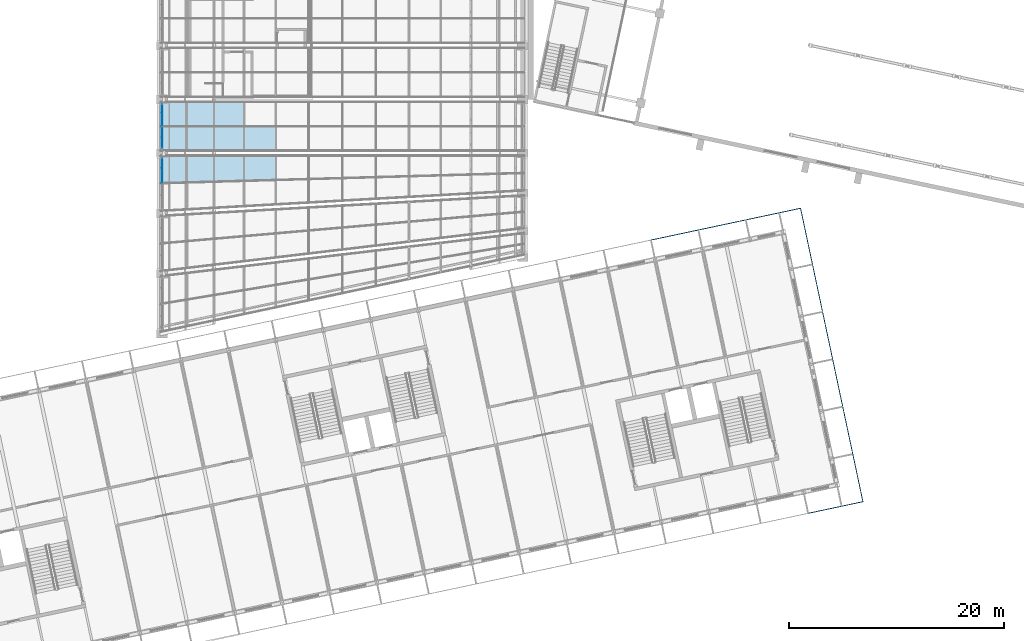
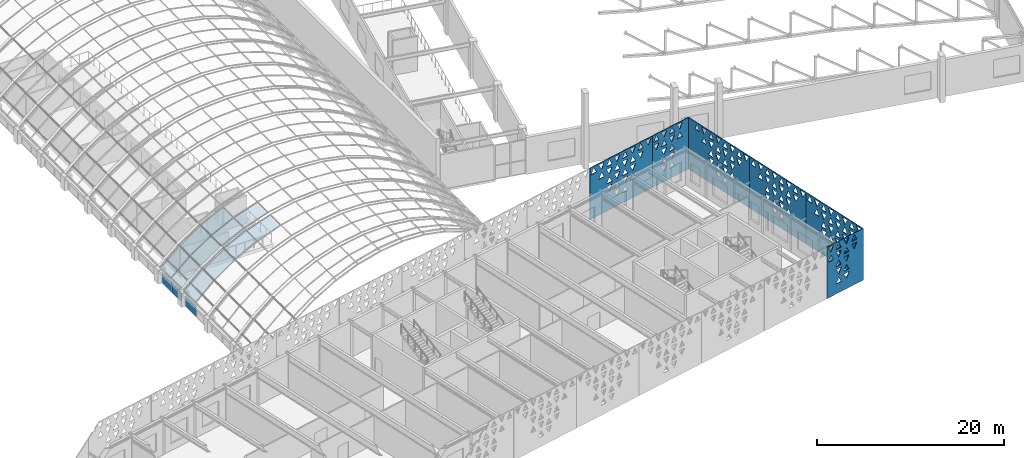
# One storey, part 104 of 182: 20 plates, 4 elements without a shape of their own.
"""IFC4 building model written with IfcOpenShell, lengths in metres."""

import ifcopenshell
import ifcopenshell.guid

model = None  # the IFC model being written
_history = None  # IfcOwnerHistory: only IFC2X3 demands one
_inside = {}  # id of a spatial element -> (the spatial element, [elements in it])
_under = {}  # id of a project, library or spatial element -> (it, [spatial elements below it])
_declared = {}  # id of a project -> (the project, [libraries it declares])
_typed = {}  # id of a type object -> (the type object, [elements of that type])
_made_of = {}  # id of a material, layer set ... -> (it, [elements and type objects made of it])


def new_model(schema):
    """Start an empty IFC model of exactly this schema.

    Asked for "IFC4X3", IfcOpenShell would pick the latest addendum, in which some entities
    have other attributes; the version numbers below select the first issue.
    IFC2X3 requires an IfcOwnerHistory on every rooted entity: one is made here for all.
    """
    global model, _history
    if schema == "IFC4X3":
        model = ifcopenshell.file(schema_version=(4, 3, 0, 0))
    else:
        model = ifcopenshell.file(schema=schema)
    _inside.clear()
    _under.clear()
    _declared.clear()
    _typed.clear()
    _made_of.clear()
    _history = None
    if model.schema == "IFC2X3":
        org = make("IfcOrganization", Name="unknown")
        user = make(
            "IfcPersonAndOrganization",
            ThePerson=make("IfcPerson", FamilyName="unknown"),
            TheOrganization=org,
        )
        app = make(
            "IfcApplication",
            ApplicationDeveloper=org,
            Version="unknown",
            ApplicationFullName="unknown",
            ApplicationIdentifier="unknown",
        )
        _history = make(
            "IfcOwnerHistory",
            OwningUser=user,
            OwningApplication=app,
            ChangeAction="ADDED",
            CreationDate=0,
        )
    return model


def make(cls, **values):
    """One entity of the class cls with the attributes given. An attribute that is None is left unset."""
    return model.create_entity(
        cls, **{name: value for name, value in values.items() if value is not None}
    )


def rooted(cls, **values):
    """An entity with a GlobalId (a new one), such as an element, a storey or a relation."""
    return make(cls, GlobalId=ifcopenshell.guid.new(), OwnerHistory=_history, **values)


def si_unit(unit_type, name, prefix=None):
    """IfcSIUnit, for example si_unit("LENGTHUNIT", "METRE", prefix="MILLI")."""
    return make("IfcSIUnit", UnitType=unit_type, Prefix=prefix, Name=name)


def assignment(units):
    """IfcUnitAssignment: the units of a project."""
    return None if units is None else make("IfcUnitAssignment", Units=units)


def point(xyz):
    """IfcCartesianPoint."""
    return None if xyz is None else make("IfcCartesianPoint", Coordinates=xyz)


def direction(xyz):
    """IfcDirection."""
    return None if xyz is None else make("IfcDirection", DirectionRatios=xyz)


def frame(location, z_axis=None, x_axis=None):
    """IfcAxis2Placement3D, a coordinate frame: its origin and axes. An axis left out is left unset."""
    return make(
        "IfcAxis2Placement3D",
        Location=point(location),
        Axis=direction(z_axis),
        RefDirection=direction(x_axis),
    )


def frame_2d(location, x_axis=None):
    """IfcAxis2Placement2D, a coordinate frame in the plane: its origin and x axis."""
    return make(
        "IfcAxis2Placement2D", Location=point(location), RefDirection=direction(x_axis)
    )


def origin():
    """The frame at (0, 0, 0) with its axes left unset."""
    return frame((0.0, 0.0, 0.0))


def origin_2d():
    """The frame at (0, 0) in the plane with its x axis left unset."""
    return frame_2d((0.0, 0.0))


def place(relative_to, where):
    """IfcLocalPlacement: puts the frame where relative to a parent placement (None: the world)."""
    return make(
        "IfcLocalPlacement", PlacementRelTo=relative_to, RelativePlacement=where
    )


def context(
    kind, dimensions, precision=None, world=None, true_north=None, identifier=None
):
    """IfcGeometricRepresentationContext, for example the 3D "Model" context."""
    return make(
        "IfcGeometricRepresentationContext",
        ContextIdentifier=identifier,
        ContextType=kind,
        CoordinateSpaceDimension=dimensions,
        Precision=precision,
        WorldCoordinateSystem=world,
        TrueNorth=true_north,
    )


def subcontext(parent, identifier, kind, view, scale=None):
    """IfcGeometricRepresentationSubContext, for example "Body" below "Model"."""
    return make(
        "IfcGeometricRepresentationSubContext",
        ContextIdentifier=identifier,
        ContextType=kind,
        ParentContext=parent,
        TargetScale=scale,
        TargetView=view,
    )


def project(units=None, contexts=None):
    """IfcProject with its units and contexts."""
    return rooted(
        "IfcProject",
        Name="project",
        RepresentationContexts=contexts,
        UnitsInContext=assignment(units),
    )


def spatial(cls, under=None, at=None, **own):
    """A site, building, storey or space (cls), placed at a placement, below another one or the project."""
    s = rooted(cls, ObjectPlacement=at, **own)
    if under is not None:
        _under.setdefault(under.id(), (under, []))[1].append(s)
    return s


def polyline(points):
    """IfcPolyline through the points."""
    return make("IfcPolyline", Points=[point(p) for p in points])


def profile(cls, at=None, kind="AREA", **sizes):
    """A parametric profile (cls). Its sizes go by their IFC names, for example OverallWidth=200.0."""
    return make(cls, ProfileType=kind, Position=at, **sizes)


def rectangle(**sizes):
    """IfcRectangleProfileDef."""
    return profile("IfcRectangleProfileDef", **sizes)


def outline(outer, holes=None, kind="AREA"):
    """IfcArbitraryClosedProfileDef: a profile drawn as a closed curve; with holes, ...WithVoids."""
    if holes is None:
        return make("IfcArbitraryClosedProfileDef", ProfileType=kind, OuterCurve=outer)
    return make(
        "IfcArbitraryProfileDefWithVoids",
        ProfileType=kind,
        OuterCurve=outer,
        InnerCurves=holes,
    )


def extrude(swept, where, along, depth):
    """IfcExtrudedAreaSolid: the profile swept, set in the frame where, extruded along a direction by depth."""
    return make(
        "IfcExtrudedAreaSolid",
        SweptArea=swept,
        Position=where,
        ExtrudedDirection=direction(along),
        Depth=depth,
    )


def shape(context_of_items, identifier, shape_type, items):
    """IfcShapeRepresentation: the items that make up one representation, for example the "Body"."""
    return make(
        "IfcShapeRepresentation",
        ContextOfItems=context_of_items,
        RepresentationIdentifier=identifier,
        RepresentationType=shape_type,
        Items=items,
    )


def material(Name=None, Category=None):
    """IfcMaterial."""
    return make("IfcMaterial", Name=Name, Category=Category)


def layer(
    of_material, thickness, ventilated=None, Name=None, Category=None, Priority=None
):
    """IfcMaterialLayer: one layer of a wall or slab, of a material (None: an air gap)."""
    return make(
        "IfcMaterialLayer",
        Material=of_material,
        LayerThickness=thickness,
        IsVentilated=ventilated,
        Name=Name,
        Category=Category,
        Priority=Priority,
    )


def layer_set(layers, Name=None):
    """IfcMaterialLayerSet."""
    return make("IfcMaterialLayerSet", MaterialLayers=layers, LayerSetName=Name)


def made_of(thing, what):
    """Note that an element or type object is made of a material, layer set ...; save() writes the relation."""
    if what is not None:
        _made_of.setdefault(what.id(), (what, []))[1].append(thing)
    return thing


def type_object(cls, material=None, **own):
    """A type object (cls), such as IfcWallType, which elements share."""
    return made_of(rooted(cls, **own), material)


def element(
    cls,
    number,
    at=None,
    inside=None,
    cuts=None,
    type_object=None,
    material=None,
    context=None,
    identifier="Body",
    shape_type=None,
    held_by="IfcProductDefinitionShape",
    body=None,
    shapes=None,
    **own,
):
    """One element of the class cls, such as IfcWall. Its Tag is "e" and its number.

    at: its placement. inside: the storey or other place that contains it. cuts: it is an
    opening in that element (IfcRelVoidsElement). A single representation is given by context,
    identifier, shape_type and body (its items); several are given by shapes. held_by: the class
    of the entity that holds the representations. save() writes the other relations.
    """
    e = rooted(cls, Tag="e%d" % number, ObjectPlacement=at, **own)
    if body is not None:
        shapes = [shape(context, identifier, shape_type, body)]
    if shapes is not None:
        e.Representation = make(held_by, Representations=shapes)
    if inside is not None:
        _inside.setdefault(inside.id(), (inside, []))[1].append(e)
    if cuts is not None:
        rooted(
            "IfcRelVoidsElement", RelatingBuildingElement=cuts, RelatedOpeningElement=e
        )
    if type_object is not None:
        _typed.setdefault(type_object.id(), (type_object, []))[1].append(e)
    return made_of(e, material)


def aggregate(whole, parts):
    """IfcRelAggregates: a whole, such as a stair, and the parts it consists of."""
    return rooted("IfcRelAggregates", RelatingObject=whole, RelatedObjects=parts)


def save(model, path):
    """Write the relations noted so far, then the file.

    IfcRelAggregates (storeys below a building ...), IfcRelContainedInSpatialStructure (elements
    in a storey), IfcRelDefinesByType, IfcRelAssociatesMaterial and IfcRelDeclares: one each for
    every whole, place, type object, material and project.
    """
    for whole, parts in _under.values():
        aggregate(whole, parts)
    for where, things in _inside.values():
        rooted(
            "IfcRelContainedInSpatialStructure",
            RelatedElements=things,
            RelatingStructure=where,
        )
    for kind, things in _typed.values():
        rooted("IfcRelDefinesByType", RelatedObjects=things, RelatingType=kind)
    for what, things in _made_of.values():
        rooted("IfcRelAssociatesMaterial", RelatedObjects=things, RelatingMaterial=what)
    for by, libraries in _declared.values():
        rooted("IfcRelDeclares", RelatingContext=by, RelatedDefinitions=libraries)
    model.write(path)


model = new_model("IFC4")

# Units and contexts
model_context = context("Model", 3, precision=1e-05, world=origin(), true_north=direction((0.0, 1.0)))
body_context = subcontext(model_context, "Body", "Model", "MODEL_VIEW")
ifc_project = project(units=[si_unit("LENGTHUNIT", "METRE"), si_unit("AREAUNIT", "SQUARE_METRE"), si_unit("VOLUMEUNIT", "CUBIC_METRE"), si_unit("PLANEANGLEUNIT", "RADIAN"), si_unit("MASSUNIT", "GRAM", prefix="KILO")], contexts=[model_context])

# Site, building, storey
site_placement = place(None, origin())
site = spatial("IfcSite", under=ifc_project, at=site_placement, CompositionType="ELEMENT")
building_placement = place(site_placement, origin())
building = spatial("IfcBuilding", under=site, at=building_placement, Name="Okhra Congress Centre", CompositionType="ELEMENT")
storey_placement = place(building_placement, frame((0.0, 0.0, 7.199951171875)))
storey = spatial("IfcBuildingStorey", under=building, at=storey_placement, Name="L01", CompositionType="ELEMENT", Elevation=7.199951171875)

# Curtain wall, plate
ifc_material_1 = material(Name="Aluminium curtain wall, triple glazing", Category="aluminium")
curtain_wall_type_1 = type_object("IfcCurtainWallType", Name="Curtain wall 2100 module", PredefinedType="NOTDEFINED", material=ifc_material_1)
curtain_wall_1_placement = place(storey_placement, origin())
curtain_wall_1 = element("IfcCurtainWall", 1, at=curtain_wall_1_placement, inside=storey, type_object=curtain_wall_type_1, Name="West bay 3 clerestory glazing", PredefinedType="NOTDEFINED")
ifc_material_2 = material(Name="Triple glazing unit, low-e coating, argon fill", Category="glass")
ifc_layer_1 = layer(ifc_material_2, 0.028076171875)
ifc_layer_set_1 = layer_set([ifc_layer_1], Name="Curtain wall glazing unit 28")
plate_type_1 = type_object("IfcPlateType", Name="Curtain wall glazing unit 28", PredefinedType="CURTAIN_PANEL", material=ifc_layer_set_1)
plate_1_placement = place(storey_placement, frame((155.5, 89.388916015625, 0.06005859375), z_axis=(0.0, 0.0, 1.0), x_axis=(0.0, 1.0, 0.0)))
plate_1 = element("IfcPlate", 2, at=plate_1_placement, type_object=plate_type_1, Name="CW4 panel 2.1", PredefinedType="CURTAIN_PANEL", context=body_context, shape_type="SweptSolid", body=[
    extrude(rectangle(XDim=2.30224609375, YDim=0.028076171875, at=origin_2d()), origin(), (0.0, 0.0, 1.0), 1.3798828125),
])
aggregate(curtain_wall_1, [plate_1])

# Curtain wall, plates
curtain_wall_2_placement = place(storey_placement, origin())
curtain_wall_2 = element("IfcCurtainWall", 3, at=curtain_wall_2_placement, inside=storey, type_object=curtain_wall_type_1, Name="West bay 4 clerestory glazing", PredefinedType="NOTDEFINED")
plate_2_placement = place(storey_placement, frame((155.5, 92.465087890625, 0.06005859375), z_axis=(0.0, 0.0, 1.0), x_axis=(0.0, 1.0, 0.0)))
plate_2 = element("IfcPlate", 4, at=plate_2_placement, type_object=plate_type_1, Name="CW4 panel 1.1", PredefinedType="CURTAIN_PANEL", context=body_context, shape_type="SweptSolid", body=[
    extrude(rectangle(XDim=2.010009765625, YDim=0.028076171875, at=origin_2d()), origin(), (0.0, 0.0, 1.0), 1.3798828125),
])
plate_3_placement = place(storey_placement, frame((155.5, 94.534912109375, 0.06005859375), z_axis=(0.0, 0.0, 1.0), x_axis=(0.0, 1.0, 0.0)))
plate_3 = element("IfcPlate", 5, at=plate_3_placement, type_object=plate_type_1, Name="CW4 panel 2.1", PredefinedType="CURTAIN_PANEL", context=body_context, shape_type="SweptSolid", body=[
    extrude(rectangle(XDim=2.010009765625, YDim=0.028076171875, at=origin_2d()), origin(), (0.0, 0.0, 1.0), 1.3798828125),
])
aggregate(curtain_wall_2, [plate_2, plate_3])

ifc_material_3 = material(Name="Aluminium frame with triple glazing", Category="aluminium")
curtain_wall_type_2 = type_object("IfcCurtainWallType", Name="Glazed vault bay curtain wall", PredefinedType="NOTDEFINED", material=ifc_material_3)
curtain_wall_3_placement = place(storey_placement, origin())
curtain_wall_3 = element("IfcCurtainWall", 6, at=curtain_wall_3_placement, inside=storey, type_object=curtain_wall_type_2, Name="Vault glazing bay 3", PredefinedType="NOTDEFINED")
ifc_material_4 = material(Name="Laminated toughened glass unit, low-e coating", Category="glass")
ifc_layer_2 = layer(ifc_material_4, 0.035888671875)
ifc_layer_set_2 = layer_set([ifc_layer_2], Name="Laminated safety glazing unit 36 mm")
plate_type_2 = type_object("IfcPlateType", Name="Laminated safety glazing unit 36 mm", PredefinedType="CURTAIN_PANEL", material=ifc_layer_set_2)
plate_4_placement = place(storey_placement, frame((155.369384765625, 88.235107421875, 1.97509765625), z_axis=(-0.663696509452, 0.0, 0.748001967472), x_axis=(0.74783557295, 0.021091573737, 0.663548868847)))
plate_4 = element("IfcPlate", 7, at=plate_4_placement, type_object=plate_type_2, Name="Vault glass panel 3.2.1", PredefinedType="CURTAIN_PANEL", context=body_context, shape_type="SweptSolid", body=[
    extrude(outline(polyline([(0.0, 0.0), (3.0674461010874303, 3.469446951953614e-18), (3.118846513451094, 2.4364696006586404), (0.05276497951216816, 2.5011524742485562), (0.0, 0.0)])), origin(), (0.0, 0.0, -1.0), 0.035888671875),
])
plate_5_placement = place(storey_placement, frame((157.765869140625, 88.301025390625, 3.976318359375), z_axis=(-0.559449609733, 0.0, 0.828864364157), x_axis=(0.828638943578, 0.023320642635, 0.559297460045)))
plate_5 = element("IfcPlate", 8, at=plate_5_placement, type_object=plate_type_2, Name="Vault glass panel 3.2.2", PredefinedType="CURTAIN_PANEL", context=body_context, shape_type="SweptSolid", body=[
    extrude(outline(polyline([(0.0, 0.0), (3.0673770121143376, 6.938893903907228e-18), (3.12251302365563, 2.3636148214543344), (0.056804211807876176, 2.4351285701827647), (0.0, 0.0)])), origin(), (0.0, 0.0, -1.0), 0.035888671875),
])

curtain_wall_4_placement = place(storey_placement, origin())
curtain_wall_4 = element("IfcCurtainWall", 9, at=curtain_wall_4_placement, inside=storey, type_object=curtain_wall_type_2, Name="Vault glazing bay 4", PredefinedType="NOTDEFINED")
plate_6_placement = place(storey_placement, frame((155.3994140625, 91.26318359375, 1.94140625), z_axis=(-0.663696509452, 0.0, 0.748001967472), x_axis=(0.748001967472, 0.0, 0.663696509452)))
plate_6 = element("IfcPlate", 10, at=plate_6_placement, type_object=plate_type_2, Name="Vault glass panel 4.1.1", PredefinedType="CURTAIN_PANEL", context=body_context, shape_type="SweptSolid", body=[
    extrude(outline(polyline([(0.0, 0.0), (3.066763741617069, 0.0), (3.066763741617069, 2.206787109375), (0.0, 2.206787109375), (0.0, 0.0)])), origin(), (0.0, 0.0, -1.0), 0.035888671875),
])
plate_7_placement = place(storey_placement, frame((157.740478515625, 91.26318359375, 4.013427734375), z_axis=(-0.55946738617, 0.0, 0.82885236551), x_axis=(0.82885236551, 0.0, 0.55946738617)))
plate_7 = element("IfcPlate", 11, at=plate_7_placement, type_object=plate_type_2, Name="Vault glass panel 4.1.2", PredefinedType="CURTAIN_PANEL", context=body_context, shape_type="SweptSolid", body=[
    extrude(outline(polyline([(0.0, 0.0), (3.0668817430899797, 0.0), (3.0668817430899797, 2.206787109375), (0.0, 2.206787109375), (0.0, 0.0)])), origin(), (0.0, 0.0, -1.0), 0.035888671875),
])
plate_8_placement = place(storey_placement, frame((155.3994140625, 93.530029296875, 1.94140625), z_axis=(-0.663696509452, 0.0, 0.748001967472), x_axis=(0.748001967472, 0.0, 0.663696509452)))
plate_8 = element("IfcPlate", 12, at=plate_8_placement, type_object=plate_type_2, Name="Vault glass panel 4.2.1", PredefinedType="CURTAIN_PANEL", context=body_context, shape_type="SweptSolid", body=[
    extrude(outline(polyline([(0.0, 0.0), (3.066763741617069, 0.0), (3.066763741617069, 2.206787109375), (0.0, 2.206787109375), (0.0, 0.0)])), origin(), (0.0, 0.0, -1.0), 0.035888671875),
])
plate_9_placement = place(storey_placement, frame((157.740478515625, 93.530029296875, 4.013427734375), z_axis=(-0.55946738617, 0.0, 0.82885236551), x_axis=(0.82885236551, 0.0, 0.55946738617)))
plate_9 = element("IfcPlate", 13, at=plate_9_placement, type_object=plate_type_2, Name="Vault glass panel 4.2.2", PredefinedType="CURTAIN_PANEL", context=body_context, shape_type="SweptSolid", body=[
    extrude(outline(polyline([(0.0, 0.0), (3.0668817430899797, 0.0), (3.0668817430899797, 2.206787109375), (0.0, 2.206787109375), (0.0, 0.0)])), origin(), (0.0, 0.0, -1.0), 0.035888671875),
])

# Plates
ifc_material_5 = material(Name="Fired clay terracotta rainscreen panel, deep oxide-red glaze, non-combustible", Category="masonry")
ifc_layer_3 = layer(ifc_material_5, 0.080078125)
ifc_layer_set_3 = layer_set([ifc_layer_3], Name="Terracotta screen panel 5230x6720")
plate_type_3 = type_object("IfcPlateType", Name="Terracotta screen panel 5230x6720", PredefinedType="SHEET", material=ifc_layer_set_3)
plate_10_placement = place(storey_placement, frame((215.5, 57.57666015625, 0.010009765625), z_axis=(0.0, 0.0, 1.0), x_axis=(0.978146748157, 0.207915701837, 0.0)))
element("IfcPlate", 14, at=plate_10_placement, inside=storey, type_object=plate_type_3, Name="Screen panel S19 Tier 1", PredefinedType="SHEET", context=body_context, shape_type="SweptSolid", body=[
    extrude(outline(polyline([(0.0, 0.0), (5.22998046875, 0.0), (5.22998046875, 6.719970703125), (0.0, 6.719970703125), (0.0, 0.0)]), holes=[polyline([(1.29638671875, 1.303955078125), (2.0634765625, 1.303955078125), (1.679931640625, 2.05615234375), (1.29638671875, 1.303955078125)]), polyline([(2.41650390625, 2.05615234375), (2.800048828125, 1.303955078125), (3.18359375, 2.05615234375), (2.41650390625, 2.05615234375)]), polyline([(1.29638671875, 3.176025390625), (1.679931640625, 2.423828125), (2.0634765625, 3.176025390625), (1.29638671875, 3.176025390625)]), polyline([(2.41650390625, 2.423828125), (3.18359375, 2.423828125), (2.800048828125, 3.176025390625), (2.41650390625, 2.423828125)]), polyline([(1.29638671875, 3.5439453125), (2.0634765625, 3.5439453125), (1.679931640625, 4.296142578125), (1.29638671875, 3.5439453125)]), polyline([(2.41650390625, 4.296142578125), (2.800048828125, 3.5439453125), (3.18359375, 4.296142578125), (2.41650390625, 4.296142578125)]), polyline([(0.176513671875, 4.663818359375), (0.943603515625, 4.663818359375), (0.56005859375, 5.416015625), (0.176513671875, 4.663818359375)]), polyline([(1.29638671875, 5.416015625), (1.679931640625, 4.663818359375), (2.0634765625, 5.416015625), (1.29638671875, 5.416015625)]), polyline([(2.41650390625, 4.663818359375), (3.18359375, 4.663818359375), (2.800048828125, 5.416015625), (2.41650390625, 4.663818359375)]), polyline([(3.536376953125, 5.416015625), (3.919921875, 4.663818359375), (4.3037109375, 5.416015625), (3.536376953125, 5.416015625)]), polyline([(0.176513671875, 6.5361328125), (0.56005859375, 5.783935546875), (0.943603515625, 6.5361328125), (0.176513671875, 6.5361328125)]), polyline([(1.29638671875, 5.783935546875), (2.0634765625, 5.783935546875), (1.679931640625, 6.5361328125), (1.29638671875, 5.783935546875)]), polyline([(2.41650390625, 6.5361328125), (2.800048828125, 5.783935546875), (3.18359375, 6.5361328125), (2.41650390625, 6.5361328125)]), polyline([(3.536376953125, 5.783935546875), (4.3037109375, 5.783935546875), (3.919921875, 6.5361328125), (3.536376953125, 5.783935546875)])]), frame((0.0, 0.0400390625, 0.0), z_axis=(0.0, -1.0, 0.0), x_axis=(1.0, 0.0, 0.0)), (0.0, 0.0, 1.0), 0.080078125),
])
plate_11_placement = place(storey_placement, frame((214.825439453125, 85.905517578125, 0.010009765625), z_axis=(0.0, 0.0, 1.0), x_axis=(-0.978146748157, -0.207915701837, 0.0)))
element("IfcPlate", 15, at=plate_11_placement, inside=storey, type_object=plate_type_3, Name="Screen panel N1 Tier 1", PredefinedType="SHEET", context=body_context, shape_type="SweptSolid", body=[
    extrude(outline(polyline([(0.0, 0.0), (5.22998046875, 0.0), (5.22998046875, 6.719970703125), (0.0, 6.719970703125), (0.0, 0.0)]), holes=[polyline([(2.04638671875, 1.303955078125), (2.8134765625, 1.303955078125), (2.429931640625, 2.05615234375), (2.04638671875, 1.303955078125)]), polyline([(3.16650390625, 2.05615234375), (3.550048828125, 1.303955078125), (3.93359375, 2.05615234375), (3.16650390625, 2.05615234375)]), polyline([(2.04638671875, 3.176025390625), (2.429931640625, 2.423828125), (2.8134765625, 3.176025390625), (2.04638671875, 3.176025390625)]), polyline([(3.16650390625, 2.423828125), (3.93359375, 2.423828125), (3.550048828125, 3.176025390625), (3.16650390625, 2.423828125)]), polyline([(2.04638671875, 3.5439453125), (2.8134765625, 3.5439453125), (2.429931640625, 4.296142578125), (2.04638671875, 3.5439453125)]), polyline([(3.16650390625, 4.296142578125), (3.550048828125, 3.5439453125), (3.93359375, 4.296142578125), (3.16650390625, 4.296142578125)]), polyline([(0.926513671875, 4.663818359375), (1.693603515625, 4.663818359375), (1.31005859375, 5.416015625), (0.926513671875, 4.663818359375)]), polyline([(2.04638671875, 5.416015625), (2.429931640625, 4.663818359375), (2.8134765625, 5.416015625), (2.04638671875, 5.416015625)]), polyline([(3.16650390625, 4.663818359375), (3.93359375, 4.663818359375), (3.550048828125, 5.416015625), (3.16650390625, 4.663818359375)]), polyline([(4.286376953125, 5.416015625), (4.669921875, 4.663818359375), (5.0537109375, 5.416015625), (4.286376953125, 5.416015625)]), polyline([(0.926513671875, 6.5361328125), (1.31005859375, 5.783935546875), (1.693603515625, 6.5361328125), (0.926513671875, 6.5361328125)]), polyline([(2.04638671875, 5.783935546875), (2.8134765625, 5.783935546875), (2.429931640625, 6.5361328125), (2.04638671875, 5.783935546875)]), polyline([(3.16650390625, 6.5361328125), (3.550048828125, 5.783935546875), (3.93359375, 6.5361328125), (3.16650390625, 6.5361328125)]), polyline([(4.286376953125, 5.783935546875), (5.0537109375, 5.783935546875), (4.669921875, 6.5361328125), (4.286376953125, 5.783935546875)])]), frame((0.0, 0.0400390625, 0.0), z_axis=(0.0, -1.0, 0.0), x_axis=(1.0, 0.0, 0.0)), (0.0, 0.0, 1.0), 0.080078125),
])
ifc_layer_4 = layer(ifc_material_5, 0.080078125)
ifc_layer_set_4 = layer_set([ifc_layer_4], Name="Terracotta screen panel 8970x6720")
plate_type_4 = type_object("IfcPlateType", Name="Terracotta screen panel 8970x6720", PredefinedType="SHEET", material=ifc_layer_set_4)
plate_12_placement = place(storey_placement, frame((220.568359375, 58.69482421875, 0.010009765625), z_axis=(0.0, 0.0, 1.0), x_axis=(-0.207915396115, 0.978146813141, 0.0)))
element("IfcPlate", 16, at=plate_12_placement, inside=storey, type_object=plate_type_4, Name="Screen panel E1 Tier 1", PredefinedType="SHEET", context=body_context, shape_type="SweptSolid", body=[
    extrude(outline(polyline([(0.0, 0.0), (8.969970703125, 0.0), (8.969970703125, 6.719970703125), (0.0, 6.719970703125), (0.0, 0.0)]), holes=[polyline([(3.54638671875, 1.303955078125), (4.3134765625, 1.303955078125), (3.929931640625, 2.05615234375), (3.54638671875, 1.303955078125)]), polyline([(4.66650390625, 2.05615234375), (5.050048828125, 1.303955078125), (5.43359375, 2.05615234375), (4.66650390625, 2.05615234375)]), polyline([(2.426513671875, 2.423828125), (3.193603515625, 2.423828125), (2.81005859375, 3.176025390625), (2.426513671875, 2.423828125)]), polyline([(3.54638671875, 3.176025390625), (3.929931640625, 2.423828125), (4.3134765625, 3.176025390625), (3.54638671875, 3.176025390625)]), polyline([(4.66650390625, 2.423828125), (5.43359375, 2.423828125), (5.050048828125, 3.176025390625), (4.66650390625, 2.423828125)]), polyline([(5.786376953125, 3.176025390625), (6.169921875, 2.423828125), (6.5537109375, 3.176025390625), (5.786376953125, 3.176025390625)]), polyline([(2.426513671875, 4.296142578125), (2.81005859375, 3.5439453125), (3.193603515625, 4.296142578125), (2.426513671875, 4.296142578125)]), polyline([(3.54638671875, 3.5439453125), (4.3134765625, 3.5439453125), (3.929931640625, 4.296142578125), (3.54638671875, 3.5439453125)]), polyline([(4.66650390625, 4.296142578125), (5.050048828125, 3.5439453125), (5.43359375, 4.296142578125), (4.66650390625, 4.296142578125)]), polyline([(5.786376953125, 3.5439453125), (6.5537109375, 3.5439453125), (6.169921875, 4.296142578125), (5.786376953125, 3.5439453125)]), polyline([(1.306396484375, 5.416015625), (1.68994140625, 4.663818359375), (2.073486328125, 5.416015625), (1.306396484375, 5.416015625)]), polyline([(2.426513671875, 4.663818359375), (3.193603515625, 4.663818359375), (2.81005859375, 5.416015625), (2.426513671875, 4.663818359375)]), polyline([(3.54638671875, 5.416015625), (3.929931640625, 4.663818359375), (4.3134765625, 5.416015625), (3.54638671875, 5.416015625)]), polyline([(4.66650390625, 4.663818359375), (5.43359375, 4.663818359375), (5.050048828125, 5.416015625), (4.66650390625, 4.663818359375)]), polyline([(5.786376953125, 5.416015625), (6.169921875, 4.663818359375), (6.5537109375, 5.416015625), (5.786376953125, 5.416015625)]), polyline([(6.906494140625, 4.663818359375), (7.673583984375, 4.663818359375), (7.2900390625, 5.416015625), (6.906494140625, 4.663818359375)]), polyline([(0.1865234375, 6.5361328125), (0.570068359375, 5.783935546875), (0.95361328125, 6.5361328125), (0.1865234375, 6.5361328125)]), polyline([(1.306396484375, 5.783935546875), (2.073486328125, 5.783935546875), (1.68994140625, 6.5361328125), (1.306396484375, 5.783935546875)]), polyline([(2.426513671875, 6.5361328125), (2.81005859375, 5.783935546875), (3.193603515625, 6.5361328125), (2.426513671875, 6.5361328125)]), polyline([(3.54638671875, 5.783935546875), (4.3134765625, 5.783935546875), (3.929931640625, 6.5361328125), (3.54638671875, 5.783935546875)]), polyline([(4.66650390625, 6.5361328125), (5.050048828125, 5.783935546875), (5.43359375, 6.5361328125), (4.66650390625, 6.5361328125)]), polyline([(5.786376953125, 5.783935546875), (6.5537109375, 5.783935546875), (6.169921875, 6.5361328125), (5.786376953125, 5.783935546875)]), polyline([(6.906494140625, 6.5361328125), (7.2900390625, 5.783935546875), (7.673583984375, 6.5361328125), (6.906494140625, 6.5361328125)]), polyline([(8.0263671875, 5.783935546875), (8.793701171875, 5.783935546875), (8.409912109375, 6.5361328125), (8.0263671875, 5.783935546875)])]), frame((0.0, 0.0400390625, 0.0), z_axis=(0.0, -1.0, 0.0), x_axis=(1.0, 0.0, 0.0)), (0.0, 0.0, 1.0), 0.080078125),
])
ifc_layer_5 = layer(ifc_material_5, 0.080078125)
ifc_layer_set_5 = layer_set([ifc_layer_5], Name="Terracotta screen panel 8980x6720")
plate_type_5 = type_object("IfcPlateType", Name="Terracotta screen panel 8980x6720", PredefinedType="SHEET", material=ifc_layer_set_5)
plate_13_placement = place(storey_placement, frame((218.69921875, 67.48828125, 0.010009765625), z_axis=(0.0, 0.0, 1.0), x_axis=(-0.207922809819, 0.978145237251, 0.0)))
element("IfcPlate", 17, at=plate_13_placement, inside=storey, type_object=plate_type_5, Name="Screen panel E2 Tier 1", PredefinedType="SHEET", context=body_context, shape_type="SweptSolid", body=[
    extrude(outline(polyline([(0.0, 0.0), (8.980224609375, 0.0), (8.980224609375, 6.719970703125), (0.0, 6.719970703125), (0.0, 0.0)]), holes=[polyline([(3.536376953125, 1.303955078125), (4.3037109375, 1.303955078125), (3.919921875, 2.05615234375), (3.536376953125, 1.303955078125)]), polyline([(4.656494140625, 2.05615234375), (5.0400390625, 1.303955078125), (5.423583984375, 2.05615234375), (4.656494140625, 2.05615234375)]), polyline([(2.41650390625, 2.423828125), (3.18359375, 2.423828125), (2.800048828125, 3.176025390625), (2.41650390625, 2.423828125)]), polyline([(3.536376953125, 3.176025390625), (3.919921875, 2.423828125), (4.3037109375, 3.176025390625), (3.536376953125, 3.176025390625)]), polyline([(4.656494140625, 2.423828125), (5.423583984375, 2.423828125), (5.0400390625, 3.176025390625), (4.656494140625, 2.423828125)]), polyline([(5.7763671875, 3.176025390625), (6.159912109375, 2.423828125), (6.543701171875, 3.176025390625), (5.7763671875, 3.176025390625)]), polyline([(2.41650390625, 4.296142578125), (2.800048828125, 3.5439453125), (3.18359375, 4.296142578125), (2.41650390625, 4.296142578125)]), polyline([(3.536376953125, 3.5439453125), (4.3037109375, 3.5439453125), (3.919921875, 4.296142578125), (3.536376953125, 3.5439453125)]), polyline([(4.656494140625, 4.296142578125), (5.0400390625, 3.5439453125), (5.423583984375, 4.296142578125), (4.656494140625, 4.296142578125)]), polyline([(5.7763671875, 3.5439453125), (6.543701171875, 3.5439453125), (6.159912109375, 4.296142578125), (5.7763671875, 3.5439453125)]), polyline([(1.29638671875, 5.416015625), (1.679931640625, 4.663818359375), (2.0634765625, 5.416015625), (1.29638671875, 5.416015625)]), polyline([(2.41650390625, 4.663818359375), (3.18359375, 4.663818359375), (2.800048828125, 5.416015625), (2.41650390625, 4.663818359375)]), polyline([(3.536376953125, 5.416015625), (3.919921875, 4.663818359375), (4.3037109375, 5.416015625), (3.536376953125, 5.416015625)]), polyline([(4.656494140625, 4.663818359375), (5.423583984375, 4.663818359375), (5.0400390625, 5.416015625), (4.656494140625, 4.663818359375)]), polyline([(5.7763671875, 5.416015625), (6.159912109375, 4.663818359375), (6.543701171875, 5.416015625), (5.7763671875, 5.416015625)]), polyline([(6.896484375, 4.663818359375), (7.66357421875, 4.663818359375), (7.280029296875, 5.416015625), (6.896484375, 4.663818359375)]), polyline([(0.176513671875, 6.5361328125), (0.56005859375, 5.783935546875), (0.943603515625, 6.5361328125), (0.176513671875, 6.5361328125)]), polyline([(1.29638671875, 5.783935546875), (2.0634765625, 5.783935546875), (1.679931640625, 6.5361328125), (1.29638671875, 5.783935546875)]), polyline([(2.41650390625, 6.5361328125), (2.800048828125, 5.783935546875), (3.18359375, 6.5361328125), (2.41650390625, 6.5361328125)]), polyline([(3.536376953125, 5.783935546875), (4.3037109375, 5.783935546875), (3.919921875, 6.5361328125), (3.536376953125, 5.783935546875)]), polyline([(4.656494140625, 6.5361328125), (5.0400390625, 5.783935546875), (5.423583984375, 6.5361328125), (4.656494140625, 6.5361328125)]), polyline([(5.7763671875, 5.783935546875), (6.543701171875, 5.783935546875), (6.159912109375, 6.5361328125), (5.7763671875, 5.783935546875)]), polyline([(6.896484375, 6.5361328125), (7.280029296875, 5.783935546875), (7.66357421875, 6.5361328125), (6.896484375, 6.5361328125)]), polyline([(8.016357421875, 5.783935546875), (8.78369140625, 5.783935546875), (8.39990234375, 6.5361328125), (8.016357421875, 5.783935546875)])]), frame((0.0, 0.0400390625, 0.0), z_axis=(0.0, -1.0, 0.0), x_axis=(1.0, 0.0, 0.0)), (0.0, 0.0, 1.0), 0.080078125),
])
plate_14_placement = place(storey_placement, frame((209.690185546875, 84.81396484375, 0.010009765625), z_axis=(0.0, 0.0, 1.0), x_axis=(-0.978144061878, -0.207928339131, 0.0)))
element("IfcPlate", 18, at=plate_14_placement, inside=storey, type_object=plate_type_5, Name="Screen panel N2 Tier 1", PredefinedType="SHEET", context=body_context, shape_type="SweptSolid", body=[
    extrude(outline(polyline([(0.0, 0.0), (8.97998046875, 0.0), (8.97998046875, 6.719970703125), (0.0, 6.719970703125), (0.0, 0.0)]), holes=[polyline([(3.536376953125, 1.303955078125), (4.3037109375, 1.303955078125), (3.919921875, 2.05615234375), (3.536376953125, 1.303955078125)]), polyline([(4.656494140625, 2.05615234375), (5.0400390625, 1.303955078125), (5.423583984375, 2.05615234375), (4.656494140625, 2.05615234375)]), polyline([(2.41650390625, 2.423828125), (3.18359375, 2.423828125), (2.800048828125, 3.176025390625), (2.41650390625, 2.423828125)]), polyline([(3.536376953125, 3.176025390625), (3.919921875, 2.423828125), (4.3037109375, 3.176025390625), (3.536376953125, 3.176025390625)]), polyline([(4.656494140625, 2.423828125), (5.423583984375, 2.423828125), (5.0400390625, 3.176025390625), (4.656494140625, 2.423828125)]), polyline([(5.7763671875, 3.176025390625), (6.159912109375, 2.423828125), (6.543701171875, 3.176025390625), (5.7763671875, 3.176025390625)]), polyline([(2.41650390625, 4.296142578125), (2.800048828125, 3.5439453125), (3.18359375, 4.296142578125), (2.41650390625, 4.296142578125)]), polyline([(3.536376953125, 3.5439453125), (4.3037109375, 3.5439453125), (3.919921875, 4.296142578125), (3.536376953125, 3.5439453125)]), polyline([(4.656494140625, 4.296142578125), (5.0400390625, 3.5439453125), (5.423583984375, 4.296142578125), (4.656494140625, 4.296142578125)]), polyline([(5.7763671875, 3.5439453125), (6.543701171875, 3.5439453125), (6.159912109375, 4.296142578125), (5.7763671875, 3.5439453125)]), polyline([(1.29638671875, 5.416015625), (1.679931640625, 4.663818359375), (2.0634765625, 5.416015625), (1.29638671875, 5.416015625)]), polyline([(2.41650390625, 4.663818359375), (3.18359375, 4.663818359375), (2.800048828125, 5.416015625), (2.41650390625, 4.663818359375)]), polyline([(3.536376953125, 5.416015625), (3.919921875, 4.663818359375), (4.3037109375, 5.416015625), (3.536376953125, 5.416015625)]), polyline([(4.656494140625, 4.663818359375), (5.423583984375, 4.663818359375), (5.0400390625, 5.416015625), (4.656494140625, 4.663818359375)]), polyline([(5.7763671875, 5.416015625), (6.159912109375, 4.663818359375), (6.543701171875, 5.416015625), (5.7763671875, 5.416015625)]), polyline([(6.896484375, 4.663818359375), (7.66357421875, 4.663818359375), (7.280029296875, 5.416015625), (6.896484375, 4.663818359375)]), polyline([(0.176513671875, 6.5361328125), (0.56005859375, 5.783935546875), (0.943603515625, 6.5361328125), (0.176513671875, 6.5361328125)]), polyline([(1.29638671875, 5.783935546875), (2.0634765625, 5.783935546875), (1.679931640625, 6.5361328125), (1.29638671875, 5.783935546875)]), polyline([(2.41650390625, 6.5361328125), (2.800048828125, 5.783935546875), (3.18359375, 6.5361328125), (2.41650390625, 6.5361328125)]), polyline([(3.536376953125, 5.783935546875), (4.3037109375, 5.783935546875), (3.919921875, 6.5361328125), (3.536376953125, 5.783935546875)]), polyline([(4.656494140625, 6.5361328125), (5.0400390625, 5.783935546875), (5.423583984375, 6.5361328125), (4.656494140625, 6.5361328125)]), polyline([(5.7763671875, 5.783935546875), (6.543701171875, 5.783935546875), (6.159912109375, 6.5361328125), (5.7763671875, 5.783935546875)]), polyline([(6.896484375, 6.5361328125), (7.280029296875, 5.783935546875), (7.66357421875, 6.5361328125), (6.896484375, 6.5361328125)]), polyline([(8.016357421875, 5.783935546875), (8.78369140625, 5.783935546875), (8.39990234375, 6.5361328125), (8.016357421875, 5.783935546875)])]), frame((0.0, 0.0400390625, 0.0), z_axis=(0.0, -1.0, 0.0), x_axis=(1.0, 0.0, 0.0)), (0.0, 0.0, 1.0), 0.080078125),
])
ifc_layer_6 = layer(ifc_material_5, 0.080078125)
ifc_layer_set_6 = layer_set([ifc_layer_6], Name="Terracotta screen panel 9780x6720")
plate_type_6 = type_object("IfcPlateType", Name="Terracotta screen panel 9780x6720", PredefinedType="SHEET", material=ifc_layer_set_6)
plate_15_placement = place(storey_placement, frame((216.827880859375, 76.291748046875, 0.010009765625), z_axis=(0.0, 0.0, 1.0), x_axis=(-0.207897270364, 0.978150665785, 0.0)))
element("IfcPlate", 19, at=plate_15_placement, inside=storey, type_object=plate_type_6, Name="Screen panel E3 Tier 1", PredefinedType="SHEET", context=body_context, shape_type="SweptSolid", body=[
    extrude(outline(polyline([(0.0, 0.0), (9.77978515625, 0.0), (9.77978515625, 6.719970703125), (0.0, 6.719970703125), (0.0, 0.0)]), holes=[polyline([(3.536376953125, 1.303955078125), (4.3037109375, 1.303955078125), (3.919921875, 2.05615234375), (3.536376953125, 1.303955078125)]), polyline([(4.656494140625, 2.05615234375), (5.0400390625, 1.303955078125), (5.423583984375, 2.05615234375), (4.656494140625, 2.05615234375)]), polyline([(2.41650390625, 2.423828125), (3.18359375, 2.423828125), (2.800048828125, 3.176025390625), (2.41650390625, 2.423828125)]), polyline([(3.536376953125, 3.176025390625), (3.919921875, 2.423828125), (4.3037109375, 3.176025390625), (3.536376953125, 3.176025390625)]), polyline([(4.656494140625, 2.423828125), (5.423583984375, 2.423828125), (5.0400390625, 3.176025390625), (4.656494140625, 2.423828125)]), polyline([(5.7763671875, 3.176025390625), (6.159912109375, 2.423828125), (6.543701171875, 3.176025390625), (5.7763671875, 3.176025390625)]), polyline([(2.41650390625, 4.296142578125), (2.800048828125, 3.5439453125), (3.18359375, 4.296142578125), (2.41650390625, 4.296142578125)]), polyline([(3.536376953125, 3.5439453125), (4.3037109375, 3.5439453125), (3.919921875, 4.296142578125), (3.536376953125, 3.5439453125)]), polyline([(4.656494140625, 4.296142578125), (5.0400390625, 3.5439453125), (5.423583984375, 4.296142578125), (4.656494140625, 4.296142578125)]), polyline([(5.7763671875, 3.5439453125), (6.543701171875, 3.5439453125), (6.159912109375, 4.296142578125), (5.7763671875, 3.5439453125)]), polyline([(1.29638671875, 5.416015625), (1.679931640625, 4.663818359375), (2.0634765625, 5.416015625), (1.29638671875, 5.416015625)]), polyline([(2.41650390625, 4.663818359375), (3.18359375, 4.663818359375), (2.800048828125, 5.416015625), (2.41650390625, 4.663818359375)]), polyline([(3.536376953125, 5.416015625), (3.919921875, 4.663818359375), (4.3037109375, 5.416015625), (3.536376953125, 5.416015625)]), polyline([(4.656494140625, 4.663818359375), (5.423583984375, 4.663818359375), (5.0400390625, 5.416015625), (4.656494140625, 4.663818359375)]), polyline([(5.7763671875, 5.416015625), (6.159912109375, 4.663818359375), (6.543701171875, 5.416015625), (5.7763671875, 5.416015625)]), polyline([(6.896484375, 4.663818359375), (7.66357421875, 4.663818359375), (7.280029296875, 5.416015625), (6.896484375, 4.663818359375)]), polyline([(0.176513671875, 6.5361328125), (0.56005859375, 5.783935546875), (0.943603515625, 6.5361328125), (0.176513671875, 6.5361328125)]), polyline([(1.29638671875, 5.783935546875), (2.0634765625, 5.783935546875), (1.679931640625, 6.5361328125), (1.29638671875, 5.783935546875)]), polyline([(2.41650390625, 6.5361328125), (2.800048828125, 5.783935546875), (3.18359375, 6.5361328125), (2.41650390625, 6.5361328125)]), polyline([(3.536376953125, 5.783935546875), (4.3037109375, 5.783935546875), (3.919921875, 6.5361328125), (3.536376953125, 5.783935546875)]), polyline([(4.656494140625, 6.5361328125), (5.0400390625, 5.783935546875), (5.423583984375, 6.5361328125), (4.656494140625, 6.5361328125)]), polyline([(5.7763671875, 5.783935546875), (6.543701171875, 5.783935546875), (6.159912109375, 6.5361328125), (5.7763671875, 5.783935546875)]), polyline([(6.896484375, 6.5361328125), (7.280029296875, 5.783935546875), (7.66357421875, 6.5361328125), (6.896484375, 6.5361328125)]), polyline([(8.016357421875, 5.783935546875), (8.78369140625, 5.783935546875), (8.39990234375, 6.5361328125), (8.016357421875, 5.783935546875)])]), frame((0.0, 0.0400390625, 0.0), z_axis=(0.0, -1.0, 0.0), x_axis=(1.0, 0.0, 0.0)), (0.0, 0.0, 1.0), 0.080078125),
])

# Plate
ifc_material_6 = material(Name="Toughened triple glazed unit")
ifc_layer_7 = layer(ifc_material_6, 0.028076171875)
ifc_layer_set_7 = layer_set([ifc_layer_7], Name="Triple glazed unit 28 mm")
plate_type_7 = type_object("IfcPlateType", Name="Triple glazed unit 28 mm", PredefinedType="CURTAIN_PANEL", material=ifc_layer_set_7)
plate_16_placement = place(storey_placement, frame((160.316162109375, 88.3740234375, 5.79638671875), z_axis=(-0.445588482535, 0.0, 0.895237903706), x_axis=(0.894954641279, 0.025153932815, 0.445447493783)))
plate_16 = element("IfcPlate", 20, at=plate_16_placement, type_object=plate_type_7, Name="Vault glass panel 3.2.3", PredefinedType="CURTAIN_PANEL", context=body_context, shape_type="SweptSolid", body=[
    extrude(outline(polyline([(0.0, 0.0), (3.06705269772369, -1.5612511283791264e-17), (3.1245456467027632, 2.2849213299478652), (0.059433535592765645, 2.362045356893339), (0.0, 0.0)])), origin(), (0.0, 0.0, -1.0), 0.028076171875),
])

plate_17_placement = place(storey_placement, frame((163.15087890625, 88.452880859375, 7.102783203125), z_axis=(-0.323909017048, 0.0, 0.946088235143), x_axis=(0.945753848844, 0.026584900313, 0.323794534346)))
plate_17 = element("IfcPlate", 21, at=plate_17_placement, type_object=plate_type_7, Name="Vault glass panel 3.2.4", PredefinedType="CURTAIN_PANEL", context=body_context, shape_type="SweptSolid", body=[
    extrude(outline(polyline([(0.0, 0.0), (3.0672662974577647, 3.469446951953614e-18), (3.125816684596347, 2.2016141624603542), (0.060718198833991766, 2.283128310588251), (0.0, 0.0)])), origin(), (0.0, 0.0, -1.0), 0.028076171875),
])

aggregate(curtain_wall_3, [plate_4, plate_5, plate_16, plate_17])

plate_18_placement = place(storey_placement, frame((160.336181640625, 91.26318359375, 5.756103515625), z_axis=(-0.445588482535, 0.0, 0.895237903706), x_axis=(0.895237903706, 0.0, 0.445588482535)))
plate_18 = element("IfcPlate", 22, at=plate_18_placement, type_object=plate_type_7, Name="Vault glass panel 4.1.3", PredefinedType="CURTAIN_PANEL", context=body_context, shape_type="SweptSolid", body=[
    extrude(outline(polyline([(0.0, 0.0), (3.066082250887193, 0.0), (3.066082250887193, 2.206787109375), (0.0, 2.206787109375), (0.0, 0.0)])), origin(), (0.0, 0.0, -1.0), 0.028076171875),
])

plate_19_placement = place(storey_placement, frame((163.13623046875, 91.26318359375, 7.145263671875), z_axis=(-0.323909017048, 0.0, 0.946088235143), x_axis=(0.946088235143, 0.0, 0.323909017048)))
plate_19 = element("IfcPlate", 23, at=plate_19_placement, type_object=plate_type_7, Name="Vault glass panel 4.1.4", PredefinedType="CURTAIN_PANEL", context=body_context, shape_type="SweptSolid", body=[
    extrude(outline(polyline([(0.0, 0.0), (3.0661822000278622, 0.0), (3.0661822000278622, 2.2067871093750004), (0.0, 2.2067871093750004), (0.0, 0.0)])), origin(), (0.0, 0.0, -1.0), 0.028076171875),
])

plate_20_placement = place(storey_placement, frame((160.336181640625, 93.530029296875, 5.756103515625), z_axis=(-0.445588482535, 0.0, 0.895237903706), x_axis=(0.895237903706, 0.0, 0.445588482535)))
plate_20 = element("IfcPlate", 24, at=plate_20_placement, type_object=plate_type_7, Name="Vault glass panel 4.2.3", PredefinedType="CURTAIN_PANEL", context=body_context, shape_type="SweptSolid", body=[
    extrude(outline(polyline([(0.0, 0.0), (3.066082250887193, 0.0), (3.066082250887193, 2.206787109375), (0.0, 2.206787109375), (0.0, 0.0)])), origin(), (0.0, 0.0, -1.0), 0.028076171875),
])

aggregate(curtain_wall_4, [plate_6, plate_7, plate_18, plate_19, plate_8, plate_9, plate_20])

save(model, "model.ifc")
